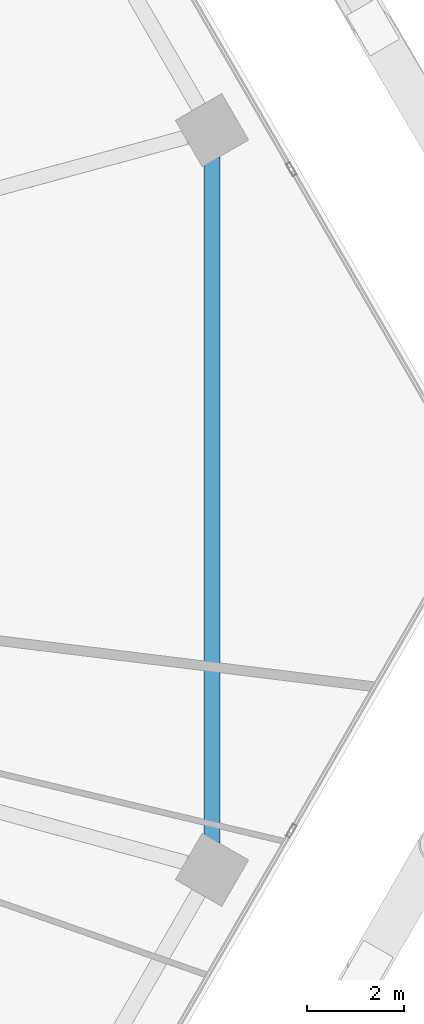
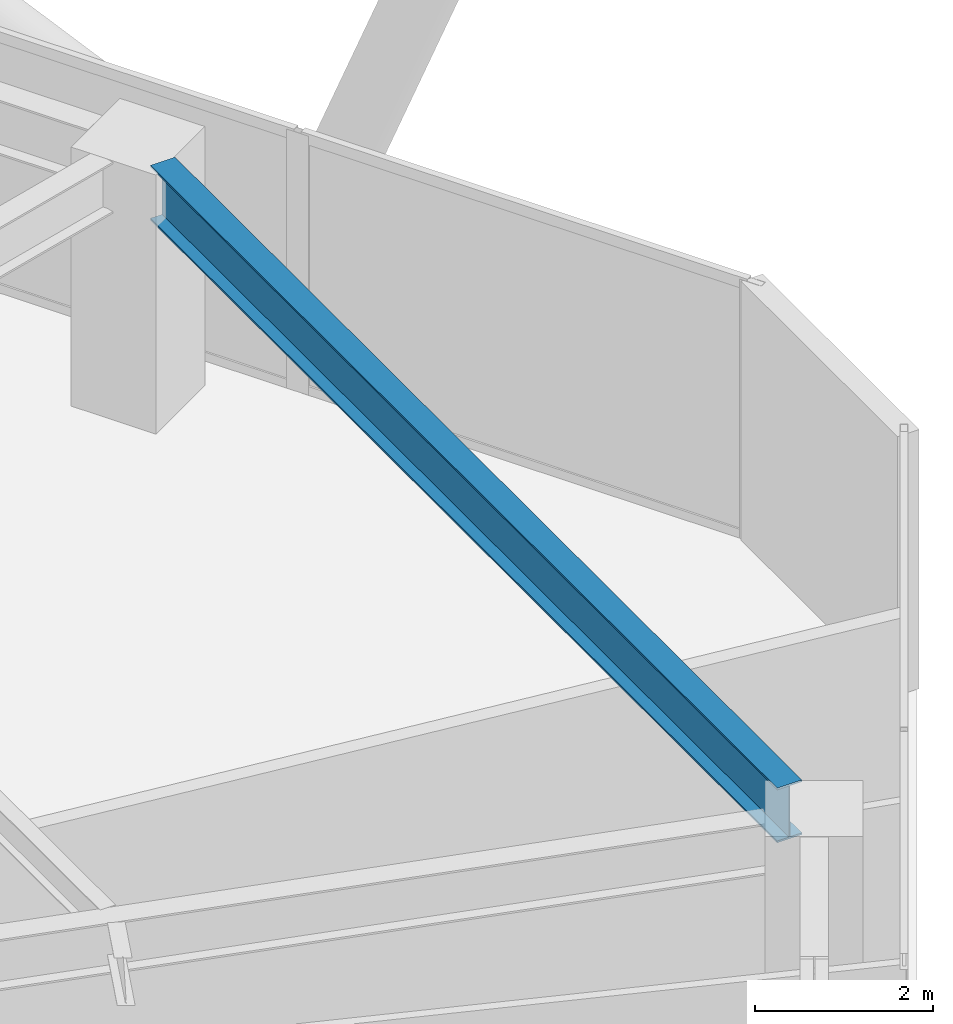
# One storey, part 13 of 35: 1 beam.
"""IFC4 building model written with IfcOpenShell, lengths in metres."""

import ifcopenshell
import ifcopenshell.guid

model = None  # the IFC model being written
_history = None  # IfcOwnerHistory: only IFC2X3 demands one
_inside = {}  # id of a spatial element -> (the spatial element, [elements in it])
_under = {}  # id of a project, library or spatial element -> (it, [spatial elements below it])
_declared = {}  # id of a project -> (the project, [libraries it declares])
_typed = {}  # id of a type object -> (the type object, [elements of that type])
_made_of = {}  # id of a material, layer set ... -> (it, [elements and type objects made of it])


def new_model(schema):
    """Start an empty IFC model of exactly this schema.

    Asked for "IFC4X3", IfcOpenShell would pick the latest addendum, in which some entities
    have other attributes; the version numbers below select the first issue.
    IFC2X3 requires an IfcOwnerHistory on every rooted entity: one is made here for all.
    """
    global model, _history
    if schema == "IFC4X3":
        model = ifcopenshell.file(schema_version=(4, 3, 0, 0))
    else:
        model = ifcopenshell.file(schema=schema)
    _inside.clear()
    _under.clear()
    _declared.clear()
    _typed.clear()
    _made_of.clear()
    _history = None
    if model.schema == "IFC2X3":
        org = make("IfcOrganization", Name="unknown")
        user = make(
            "IfcPersonAndOrganization",
            ThePerson=make("IfcPerson", FamilyName="unknown"),
            TheOrganization=org,
        )
        app = make(
            "IfcApplication",
            ApplicationDeveloper=org,
            Version="unknown",
            ApplicationFullName="unknown",
            ApplicationIdentifier="unknown",
        )
        _history = make(
            "IfcOwnerHistory",
            OwningUser=user,
            OwningApplication=app,
            ChangeAction="ADDED",
            CreationDate=0,
        )
    return model


def make(cls, **values):
    """One entity of the class cls with the attributes given. An attribute that is None is left unset."""
    return model.create_entity(
        cls, **{name: value for name, value in values.items() if value is not None}
    )


def rooted(cls, **values):
    """An entity with a GlobalId (a new one), such as an element, a storey or a relation."""
    return make(cls, GlobalId=ifcopenshell.guid.new(), OwnerHistory=_history, **values)


def si_unit(unit_type, name, prefix=None):
    """IfcSIUnit, for example si_unit("LENGTHUNIT", "METRE", prefix="MILLI")."""
    return make("IfcSIUnit", UnitType=unit_type, Prefix=prefix, Name=name)


def assignment(units):
    """IfcUnitAssignment: the units of a project."""
    return None if units is None else make("IfcUnitAssignment", Units=units)


def point(xyz):
    """IfcCartesianPoint."""
    return None if xyz is None else make("IfcCartesianPoint", Coordinates=xyz)


def direction(xyz):
    """IfcDirection."""
    return None if xyz is None else make("IfcDirection", DirectionRatios=xyz)


def frame(location, z_axis=None, x_axis=None):
    """IfcAxis2Placement3D, a coordinate frame: its origin and axes. An axis left out is left unset."""
    return make(
        "IfcAxis2Placement3D",
        Location=point(location),
        Axis=direction(z_axis),
        RefDirection=direction(x_axis),
    )


def frame_2d(location, x_axis=None):
    """IfcAxis2Placement2D, a coordinate frame in the plane: its origin and x axis."""
    return make(
        "IfcAxis2Placement2D", Location=point(location), RefDirection=direction(x_axis)
    )


def origin():
    """The frame at (0, 0, 0) with its axes left unset."""
    return frame((0.0, 0.0, 0.0))


def origin_2d():
    """The frame at (0, 0) in the plane with its x axis left unset."""
    return frame_2d((0.0, 0.0))


def place(relative_to, where):
    """IfcLocalPlacement: puts the frame where relative to a parent placement (None: the world)."""
    return make(
        "IfcLocalPlacement", PlacementRelTo=relative_to, RelativePlacement=where
    )


def context(
    kind, dimensions, precision=None, world=None, true_north=None, identifier=None
):
    """IfcGeometricRepresentationContext, for example the 3D "Model" context."""
    return make(
        "IfcGeometricRepresentationContext",
        ContextIdentifier=identifier,
        ContextType=kind,
        CoordinateSpaceDimension=dimensions,
        Precision=precision,
        WorldCoordinateSystem=world,
        TrueNorth=true_north,
    )


def subcontext(parent, identifier, kind, view, scale=None):
    """IfcGeometricRepresentationSubContext, for example "Body" below "Model"."""
    return make(
        "IfcGeometricRepresentationSubContext",
        ContextIdentifier=identifier,
        ContextType=kind,
        ParentContext=parent,
        TargetScale=scale,
        TargetView=view,
    )


def project(units=None, contexts=None):
    """IfcProject with its units and contexts."""
    return rooted(
        "IfcProject",
        Name="project",
        RepresentationContexts=contexts,
        UnitsInContext=assignment(units),
    )


def spatial(cls, under=None, at=None, **own):
    """A site, building, storey or space (cls), placed at a placement, below another one or the project."""
    s = rooted(cls, ObjectPlacement=at, **own)
    if under is not None:
        _under.setdefault(under.id(), (under, []))[1].append(s)
    return s


def profile(cls, at=None, kind="AREA", **sizes):
    """A parametric profile (cls). Its sizes go by their IFC names, for example OverallWidth=200.0."""
    return make(cls, ProfileType=kind, Position=at, **sizes)


def i_section(**sizes):
    """IfcIShapeProfileDef."""
    return profile("IfcIShapeProfileDef", **sizes)


def extrude(swept, where, along, depth):
    """IfcExtrudedAreaSolid: the profile swept, set in the frame where, extruded along a direction by depth."""
    return make(
        "IfcExtrudedAreaSolid",
        SweptArea=swept,
        Position=where,
        ExtrudedDirection=direction(along),
        Depth=depth,
    )


def shape(context_of_items, identifier, shape_type, items):
    """IfcShapeRepresentation: the items that make up one representation, for example the "Body"."""
    return make(
        "IfcShapeRepresentation",
        ContextOfItems=context_of_items,
        RepresentationIdentifier=identifier,
        RepresentationType=shape_type,
        Items=items,
    )


def material(Name=None, Category=None):
    """IfcMaterial."""
    return make("IfcMaterial", Name=Name, Category=Category)


def material_profile(
    of_material, cross_section, Name=None, Category=None, Priority=None
):
    """IfcMaterialProfile: a cross section and its material."""
    return make(
        "IfcMaterialProfile",
        Name=Name,
        Material=of_material,
        Profile=cross_section,
        Priority=Priority,
        Category=Category,
    )


def profile_set(profiles, Name=None, composite=None):
    """IfcMaterialProfileSet."""
    return make(
        "IfcMaterialProfileSet",
        Name=Name,
        MaterialProfiles=profiles,
        CompositeProfile=composite,
    )


def made_of(thing, what):
    """Note that an element or type object is made of a material, layer set ...; save() writes the relation."""
    if what is not None:
        _made_of.setdefault(what.id(), (what, []))[1].append(thing)
    return thing


def type_object(cls, material=None, **own):
    """A type object (cls), such as IfcWallType, which elements share."""
    return made_of(rooted(cls, **own), material)


def element(
    cls,
    number,
    at=None,
    inside=None,
    cuts=None,
    type_object=None,
    material=None,
    context=None,
    identifier="Body",
    shape_type=None,
    held_by="IfcProductDefinitionShape",
    body=None,
    shapes=None,
    **own,
):
    """One element of the class cls, such as IfcWall. Its Tag is "e" and its number.

    at: its placement. inside: the storey or other place that contains it. cuts: it is an
    opening in that element (IfcRelVoidsElement). A single representation is given by context,
    identifier, shape_type and body (its items); several are given by shapes. held_by: the class
    of the entity that holds the representations. save() writes the other relations.
    """
    e = rooted(cls, Tag="e%d" % number, ObjectPlacement=at, **own)
    if body is not None:
        shapes = [shape(context, identifier, shape_type, body)]
    if shapes is not None:
        e.Representation = make(held_by, Representations=shapes)
    if inside is not None:
        _inside.setdefault(inside.id(), (inside, []))[1].append(e)
    if cuts is not None:
        rooted(
            "IfcRelVoidsElement", RelatingBuildingElement=cuts, RelatedOpeningElement=e
        )
    if type_object is not None:
        _typed.setdefault(type_object.id(), (type_object, []))[1].append(e)
    return made_of(e, material)


def aggregate(whole, parts):
    """IfcRelAggregates: a whole, such as a stair, and the parts it consists of."""
    return rooted("IfcRelAggregates", RelatingObject=whole, RelatedObjects=parts)


def save(model, path):
    """Write the relations noted so far, then the file.

    IfcRelAggregates (storeys below a building ...), IfcRelContainedInSpatialStructure (elements
    in a storey), IfcRelDefinesByType, IfcRelAssociatesMaterial and IfcRelDeclares: one each for
    every whole, place, type object, material and project.
    """
    for whole, parts in _under.values():
        aggregate(whole, parts)
    for where, things in _inside.values():
        rooted(
            "IfcRelContainedInSpatialStructure",
            RelatedElements=things,
            RelatingStructure=where,
        )
    for kind, things in _typed.values():
        rooted("IfcRelDefinesByType", RelatedObjects=things, RelatingType=kind)
    for what, things in _made_of.values():
        rooted("IfcRelAssociatesMaterial", RelatedObjects=things, RelatingMaterial=what)
    for by, libraries in _declared.values():
        rooted("IfcRelDeclares", RelatingContext=by, RelatedDefinitions=libraries)
    model.write(path)


model = new_model("IFC4")

# Units and contexts
model_context = context("Model", 3, precision=1e-05, world=origin(), true_north=direction((0.0, 1.0)))
body_context = subcontext(model_context, "Body", "Model", "MODEL_VIEW")
ifc_project = project(units=[si_unit("LENGTHUNIT", "METRE"), si_unit("AREAUNIT", "SQUARE_METRE"), si_unit("VOLUMEUNIT", "CUBIC_METRE"), si_unit("PLANEANGLEUNIT", "RADIAN"), si_unit("MASSUNIT", "GRAM", prefix="KILO")], contexts=[model_context])

# Site, building, storey
site_placement = place(None, origin())
site = spatial("IfcSite", under=ifc_project, at=site_placement, CompositionType="ELEMENT")
building_placement = place(site_placement, origin())
building = spatial("IfcBuilding", under=site, at=building_placement, Name="Zuhravey Tower", CompositionType="ELEMENT")
storey_placement = place(building_placement, frame((0.0, 0.0, 115.199951171875)))
storey = spatial("IfcBuildingStorey", under=building, at=storey_placement, Name="L28", CompositionType="ELEMENT", Elevation=115.199951171875)

# Beam
ifc_material = material(Name="Steel SM355", Category="steel")
ifc_material_profile = material_profile(ifc_material, i_section(OverallWidth=0.320068359375, OverallDepth=0.75, WebThickness=0.013916015625, FlangeThickness=0.02490234375, at=origin_2d()), Name="H-750x320x14x25")
ifc_profile_set = profile_set([ifc_material_profile], Name="Steel SM355")
beam_type = type_object("IfcBeamType", Name="Perimeter Ring Beam H750x320", PredefinedType="BEAM", material=ifc_profile_set)
beam_placement = place(storey_placement, frame((63.88916015625, 24.96142578125, 3.175048828125), z_axis=(0.0, 1.0, 0.0), x_axis=(-1.0, 0.0, 0.0)))
element("IfcBeam", 1, at=beam_placement, inside=storey, type_object=beam_type, Name="L28 PB1 BM-L28-PB-12", PredefinedType="BEAM", context=body_context, shape_type="SweptSolid", body=[
    extrude(i_section(OverallWidth=0.320068359375, OverallDepth=0.75, WebThickness=0.013916015625, FlangeThickness=0.02490234375, at=origin_2d()), origin(), (0.0, 0.0, 1.0), 14.0771484375),
])

save(model, "model.ifc")
